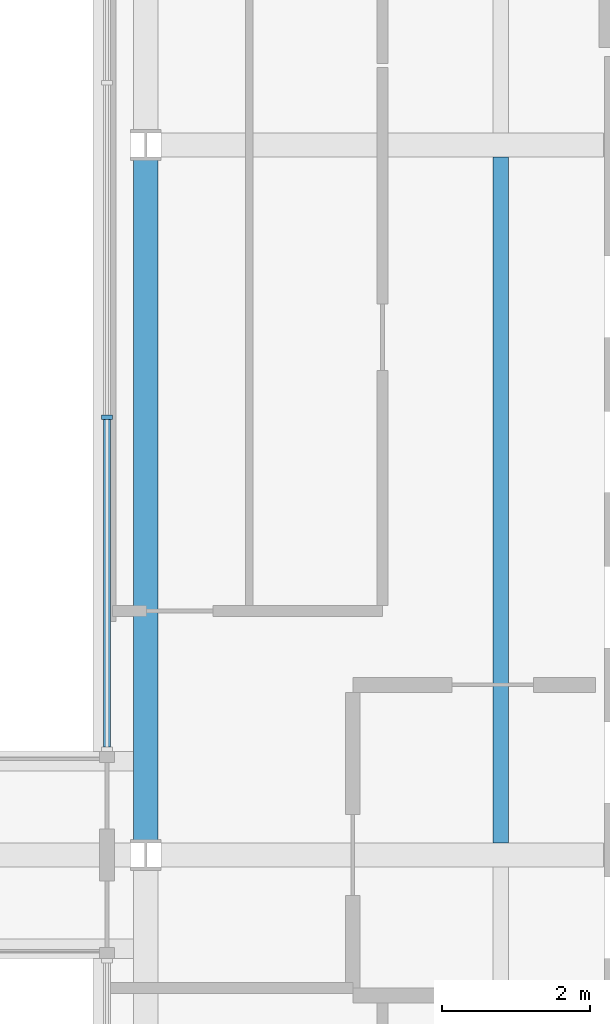
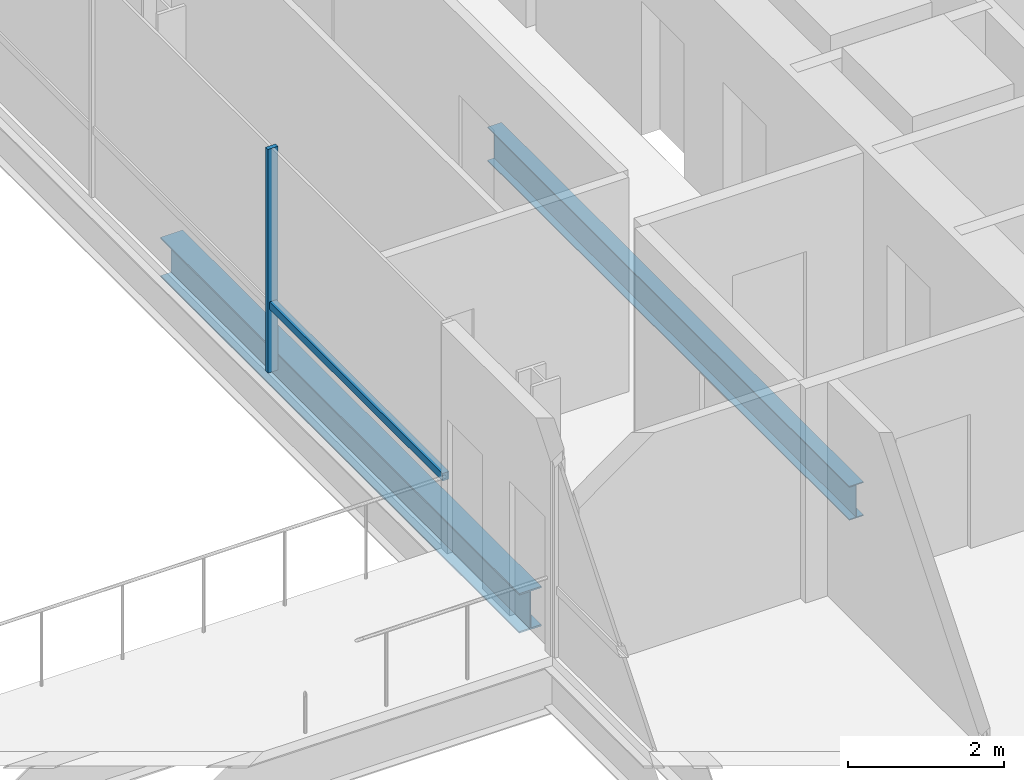
# One storey, part 5 of 19: 2 beams, 2 members, 1 element without a shape of its own.
"""IFC4 building model written with IfcOpenShell, lengths in metres."""

from ifc_helpers import new_model, si_unit, direction, frame, origin, origin_2d, place, context, subcontext, project, spatial, rectangle, i_section, extrude, material, material_profile, profile_set, type_object, element, aggregate, save


model = new_model("IFC4")

# Units and contexts
model_context = context("Model", 3, precision=1e-05, world=origin(), true_north=direction((0.0, 1.0)))
body_context = subcontext(model_context, "Body", "Model", "MODEL_VIEW")
ifc_project = project(units=[si_unit("LENGTHUNIT", "METRE"), si_unit("AREAUNIT", "SQUARE_METRE"), si_unit("VOLUMEUNIT", "CUBIC_METRE"), si_unit("PLANEANGLEUNIT", "RADIAN"), si_unit("MASSUNIT", "GRAM", prefix="KILO")], contexts=[model_context])

# Site, building, storey
site_placement = place(None, origin())
site = spatial("IfcSite", under=ifc_project, at=site_placement, CompositionType="ELEMENT")
building_placement = place(site_placement, origin())
building = spatial("IfcBuilding", under=site, at=building_placement, Name="Cobrizo Arcos Hotel Tower", CompositionType="ELEMENT")
storey_placement = place(building_placement, frame((0.0, 0.0, 70.5)))
storey = spatial("IfcBuildingStorey", under=building, at=storey_placement, Name="L16", CompositionType="ELEMENT", Elevation=70.5)

# Curtain wall, members
ifc_material_1 = material(Name="Aluminium 6063-T6 anodised bronze", Category="aluminium")
curtain_wall_type = type_object("IfcCurtainWallType", Name="CW-F void screen", PredefinedType="NOTDEFINED", material=ifc_material_1)
curtain_wall_placement = place(storey_placement, origin())
curtain_wall = element("IfcCurtainWall", 1, at=curtain_wall_placement, inside=storey, type_object=curtain_wall_type, Name="CW-F L16 void screen A", PredefinedType="NOTDEFINED")
ifc_material_profile_1 = material_profile(ifc_material_1, rectangle(XDim=0.14990234375, YDim=0.06005859375, at=origin_2d()), Name="CW-F mullion 150x60")
ifc_profile_set_1 = profile_set([ifc_material_profile_1], Name="Aluminium 6063-T6 anodised bronze")
member_type_1 = type_object("IfcMemberType", Name="CW-F mullion 150x60", PredefinedType="MULLION", material=ifc_profile_set_1)
member_1_placement = place(storey_placement, frame((9.074951171875, 5.919921875, 0.0), z_axis=(0.0, 0.0, 1.0), x_axis=(1.0, 0.0, 0.0)))
member_1 = element("IfcMember", 2, at=member_1_placement, type_object=member_type_1, Name="CW-F mullion 2", PredefinedType="MULLION", context=body_context, shape_type="SweptSolid", body=[
    extrude(rectangle(XDim=0.14990234375, YDim=0.06005859375, at=origin_2d()), origin(), (0.0, 0.0, 1.0), 3.5),
])
ifc_material_profile_2 = material_profile(ifc_material_1, rectangle(XDim=0.10009765625, YDim=0.1201171875, at=origin_2d()), Name="CW-F transom 120x100")
ifc_profile_set_2 = profile_set([ifc_material_profile_2], Name="Aluminium 6063-T6 anodised bronze")
member_type_2 = type_object("IfcMemberType", Name="CW-F transom 120x100", PredefinedType="USERDEFINED", material=ifc_profile_set_2)
member_2_placement = place(storey_placement, frame((9.074951171875, 1.4599609375, 1.050048828125), z_axis=(0.0, 1.0, 0.0), x_axis=(-1.0, 0.0, 0.0)))
member_2 = element("IfcMember", 3, at=member_2_placement, type_object=member_type_2, Name="CW-F transom 2493", ObjectType="TRANSOM", PredefinedType="USERDEFINED", context=body_context, shape_type="SweptSolid", body=[
    extrude(rectangle(XDim=0.10009765625, YDim=0.1201171875, at=origin_2d()), origin(), (0.0, 0.0, 1.0), 4.429931640625),
])
aggregate(curtain_wall, [member_1, member_2])

# Beams
ifc_material_2 = material(Name="Steel ASTM A992 Grade 50", Category="steel")
ifc_material_profile_3 = material_profile(ifc_material_2, i_section(OverallWidth=0.209228515625, OverallDepth=0.533447265625, WebThickness=0.01025390625, FlangeThickness=0.015625, at=origin_2d()), Name="W21X62")
ifc_profile_set_3 = profile_set([ifc_material_profile_3], Name="Steel ASTM A992 Grade 50")
beam_type_1 = type_object("IfcBeamType", Name="W21X62 joist", PredefinedType="JOIST", material=ifc_profile_set_3)
beam_1_placement = place(storey_placement, frame((14.39990234375, 0.163818359375, -0.416748046875), z_axis=(0.0, 1.0, 0.0), x_axis=(-1.0, 0.0, 0.0)))
element("IfcBeam", 4, at=beam_1_placement, inside=storey, type_object=beam_type_1, Name="Floor joist J1, L16, no. 009", PredefinedType="JOIST", context=body_context, shape_type="SweptSolid", body=[
    extrude(i_section(OverallWidth=0.209228515625, OverallDepth=0.533447265625, WebThickness=0.01025390625, FlangeThickness=0.015625, at=origin_2d()), origin(), (0.0, 0.0, 1.0), 9.272216796875),
])
ifc_material_profile_4 = material_profile(ifc_material_2, i_section(OverallWidth=0.32763671875, OverallDepth=0.622314453125, WebThickness=0.015380859375, FlangeThickness=0.0244140625, at=origin_2d()), Name="W24X131")
ifc_profile_set_4 = profile_set([ifc_material_profile_4], Name="Steel ASTM A992 Grade 50")
beam_type_2 = type_object("IfcBeamType", Name="W24X131 girder", PredefinedType="BEAM", material=ifc_profile_set_4)
beam_2_placement = place(storey_placement, frame((9.60009765625, 0.204345703125, -0.461181640625), z_axis=(0.0, 1.0, 0.0), x_axis=(-1.0, 0.0, 0.0)))
element("IfcBeam", 5, at=beam_2_placement, inside=storey, type_object=beam_type_2, Name="Floor girder G1, L16, no. 014", PredefinedType="BEAM", context=body_context, shape_type="SweptSolid", body=[
    extrude(i_section(OverallWidth=0.32763671875, OverallDepth=0.622314453125, WebThickness=0.015380859375, FlangeThickness=0.0244140625, at=origin_2d()), origin(), (0.0, 0.0, 1.0), 9.191162109375),
])

save(model, "model.ifc")
